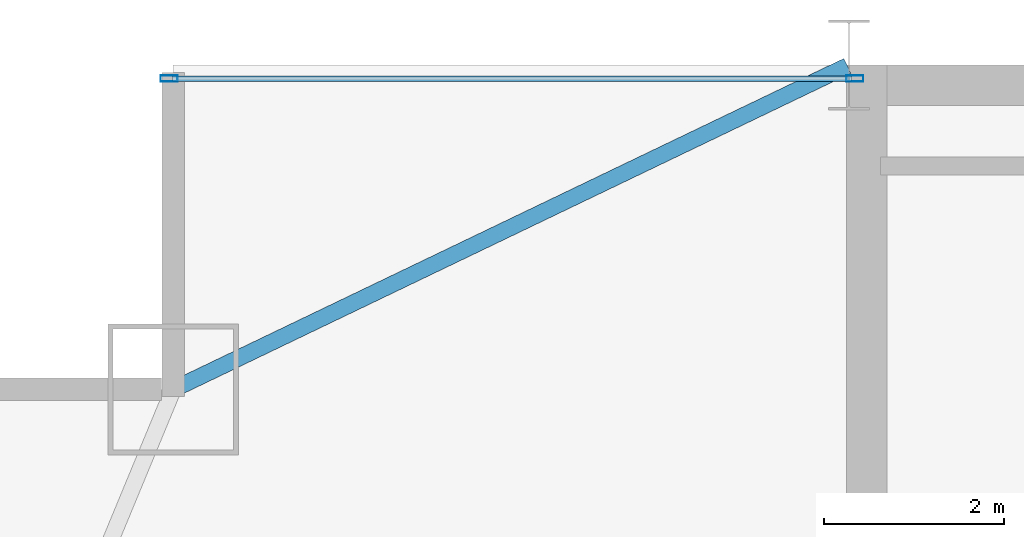
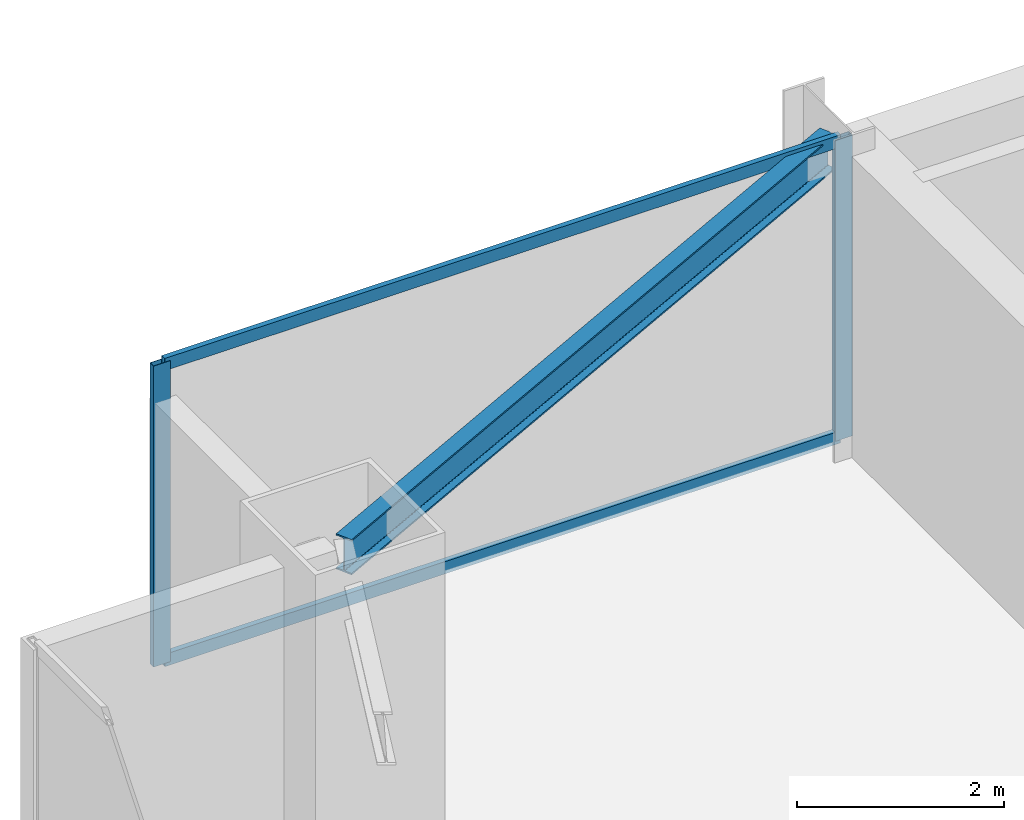
# One storey, part 23 of 37: 4 members, 1 beam, 1 element without a shape of its own.
"""IFC4 building model written with IfcOpenShell, lengths in metres."""

from ifc_helpers import new_model, si_unit, direction, frame, origin, origin_2d, place, context, subcontext, project, spatial, hollow_rectangle, i_section, extrude, source, transform, mapped, material, layer, layer_set, material_profile, profile_set, type_object, type_shapes, element, aggregate, save


model = new_model("IFC4")

# Units and contexts
model_context = context("Model", 3, precision=1e-05, world=origin(), true_north=direction((0.0, 1.0)))
body_context = subcontext(model_context, "Body", "Model", "MODEL_VIEW")
ifc_project = project(units=[si_unit("LENGTHUNIT", "METRE"), si_unit("AREAUNIT", "SQUARE_METRE"), si_unit("VOLUMEUNIT", "CUBIC_METRE"), si_unit("PLANEANGLEUNIT", "RADIAN"), si_unit("MASSUNIT", "GRAM", prefix="KILO")], contexts=[model_context])

# Site, building, storey
site_placement = place(None, origin())
site = spatial("IfcSite", under=ifc_project, at=site_placement, CompositionType="ELEMENT")
building_placement = place(site_placement, origin())
building = spatial("IfcBuilding", under=site, at=building_placement, Name="Varnel Quay Broadcast Tower", CompositionType="ELEMENT")
storey_placement = place(building_placement, frame((0.0, 0.0, 103.0)))
storey = spatial("IfcBuildingStorey", under=building, at=storey_placement, Name="L24", CompositionType="ELEMENT", Elevation=103.0)

# Beam
ifc_material_1 = material(Name="Structural Steel CSA G40.21 350W", Category="steel")
ifc_material_profile_1 = material_profile(ifc_material_1, i_section(OverallWidth=0.180908203125, OverallDepth=0.4169921875, WebThickness=0.010986328125, FlangeThickness=0.018310546875, FilletRadius=0.011962890625, at=origin_2d()), Name="W410X85")
ifc_profile_set_1 = profile_set([ifc_material_profile_1], Name="Structural Steel CSA G40.21 350W")
beam_type = type_object("IfcBeamType", Name="Beam_W410X85", PredefinedType="SPANDREL", material=ifc_profile_set_1)
shared_shape_1 = source(origin(), body_context, "Body", "SweptSolid", [
    extrude(i_section(OverallWidth=0.180908203125, OverallDepth=0.4169921875, WebThickness=0.010986328125, FlangeThickness=0.018310546875, FilletRadius=0.011962890625, at=origin_2d()), origin(), (0.0, 0.0, 1.0), 8.279296875),
])
type_shapes(beam_type, [shared_shape_1])
beam_placement = place(storey_placement, frame((8.117919921875, 43.208740234375, 3.341552734375), z_axis=(0.901535021024, 0.432706142626, 0.0), x_axis=(-0.432706142626, 0.901535021024, 0.0)))
element("IfcBeam", 1, at=beam_placement, inside=storey, type_object=beam_type, Name="L24 NW Tie Spandrel", PredefinedType="SPANDREL", context=body_context, shape_type="MappedRepresentation", body=[
    mapped(shared_shape_1, transform((0.0, 0.0, 0.0), x_axis=(1.0, 0.0, 0.0), y_axis=(0.0, 1.0, 0.0), z_axis=(0.0, 0.0, 1.0), scale=1.0)),
])

# Curtain wall, members
ifc_material_2 = material(Name="Anodised Bronze Aluminium 6063-T6", Category="aluminium")
ifc_layer = layer(ifc_material_2, 0.18994140625, Name="Anodised Bronze Aluminium 6063-T6")
ifc_layer_set = layer_set([ifc_layer], Name="Anodised Bronze Aluminium 6063-T6")
curtain_wall_type = type_object("IfcCurtainWallType", Name="CW_LowerTower", PredefinedType="NOTDEFINED", material=ifc_layer_set)
curtain_wall_placement = place(storey_placement, origin())
curtain_wall = element("IfcCurtainWall", 2, at=curtain_wall_placement, inside=storey, type_object=curtain_wall_type, Name="L24 NW Wing Curtain Wall", PredefinedType="NOTDEFINED")
ifc_material_profile_2 = material_profile(ifc_material_2, hollow_rectangle(XDim=0.070068359375, YDim=0.18994140625, WallThickness=0.00390625, at=origin_2d()), Name="ALU70X190X4")
ifc_profile_set_2 = profile_set([ifc_material_profile_2], Name="Anodised Bronze Aluminium 6063-T6")
member_type_1 = type_object("IfcMemberType", Name="Mull_CWS-02", PredefinedType="MULLION", material=ifc_profile_set_2)
shared_shape_2 = source(origin(), body_context, "Body", "SweptSolid", [
    extrude(hollow_rectangle(XDim=0.070068359375, YDim=0.18994140625, WallThickness=0.00390625, at=origin_2d()), origin(), (0.0, 0.0, 1.0), 3.550048828125),
])
type_shapes(member_type_1, [shared_shape_2])
member_1_placement = place(storey_placement, frame((8.054931640625, 46.64990234375, 0.0), z_axis=(0.0, 0.0, 1.0), x_axis=(0.0, 1.0, 0.0)))
member_1 = element("IfcMember", 3, at=member_1_placement, type_object=member_type_1, Name="CWS-02 mullion 1", PredefinedType="MULLION", context=body_context, shape_type="MappedRepresentation", body=[
    mapped(shared_shape_2, transform((0.0, 0.0, 0.0), x_axis=(1.0, 0.0, 0.0), y_axis=(0.0, 1.0, 0.0), z_axis=(0.0, 0.0, 1.0), scale=1.0)),
])
member_2_placement = place(storey_placement, frame((15.6650390625, 46.64990234375, 0.0), z_axis=(0.0, 0.0, 1.0), x_axis=(0.0, 1.0, 0.0)))
member_2 = element("IfcMember", 4, at=member_2_placement, type_object=member_type_1, Name="CWS-02 mullion 2", PredefinedType="MULLION", context=body_context, shape_type="MappedRepresentation", body=[
    mapped(shared_shape_2, transform((0.0, 0.0, 0.0), x_axis=(1.0, 0.0, 0.0), y_axis=(0.0, 1.0, 0.0), z_axis=(0.0, 0.0, 1.0), scale=1.0)),
])
ifc_material_profile_3 = material_profile(ifc_material_2, hollow_rectangle(XDim=0.06005859375, YDim=0.14501953125, WallThickness=0.00341796875, at=origin_2d()), Name="ALU60X145X3.5")
ifc_profile_set_3 = profile_set([ifc_material_profile_3], Name="Anodised Bronze Aluminium 6063-T6")
member_type_2 = type_object("IfcMemberType", Name="Tran_CWS-02", PredefinedType="USERDEFINED", material=ifc_profile_set_3)
shared_shape_3 = source(origin(), body_context, "Body", "SweptSolid", [
    extrude(hollow_rectangle(XDim=0.06005859375, YDim=0.14501953125, WallThickness=0.00341796875, at=origin_2d()), origin(), (0.0, 0.0, 1.0), 7.539794921875),
])
type_shapes(member_type_2, [shared_shape_3])
member_3_placement = place(storey_placement, frame((8.090087890625, 46.64990234375, 0.030029296875), z_axis=(1.0, 0.0, 0.0), x_axis=(0.0, 1.0, 0.0)))
member_3 = element("IfcMember", 5, at=member_3_placement, type_object=member_type_2, Name="CWS-02 transom 1.1", ObjectType="TRANSOM", PredefinedType="USERDEFINED", context=body_context, shape_type="MappedRepresentation", body=[
    mapped(shared_shape_3, transform((0.0, 0.0, 0.0), x_axis=(1.0, 0.0, 0.0), y_axis=(0.0, 1.0, 0.0), z_axis=(0.0, 0.0, 1.0), scale=1.0)),
])
member_4_placement = place(storey_placement, frame((8.090087890625, 46.64990234375, 3.52001953125), z_axis=(1.0, 0.0, 0.0), x_axis=(0.0, 1.0, 0.0)))
member_4 = element("IfcMember", 6, at=member_4_placement, type_object=member_type_2, Name="CWS-02 transom 1.2", ObjectType="TRANSOM", PredefinedType="USERDEFINED", context=body_context, shape_type="MappedRepresentation", body=[
    mapped(shared_shape_3, transform((0.0, 0.0, 0.0), x_axis=(1.0, 0.0, 0.0), y_axis=(0.0, 1.0, 0.0), z_axis=(0.0, 0.0, 1.0), scale=1.0)),
])
aggregate(curtain_wall, [member_1, member_2, member_3, member_4])

save(model, "model.ifc")
